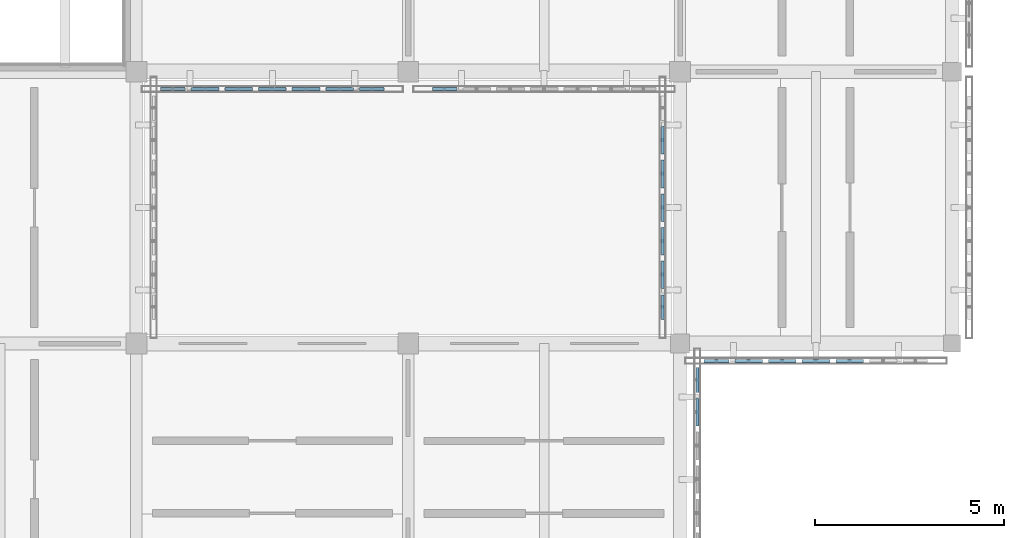
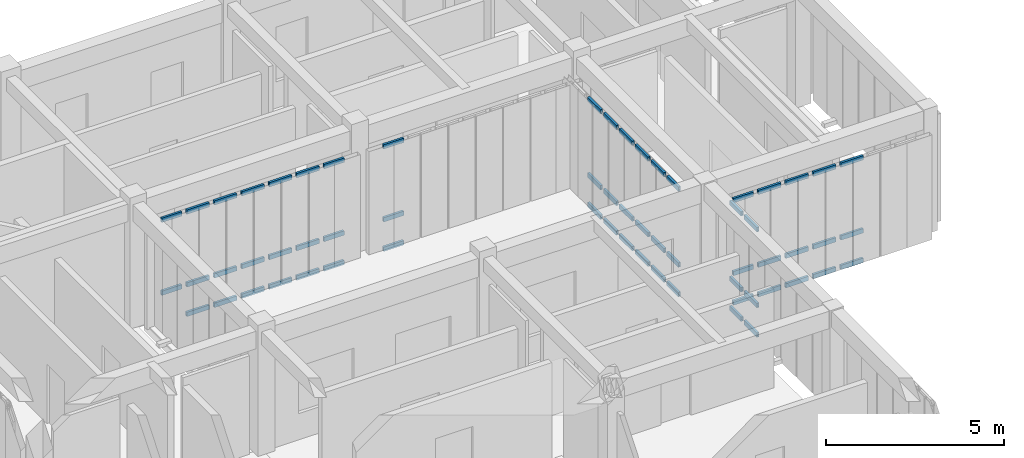
# One storey, part 23 of 91: 62 members, 5 elements without a shape of their own.
"""IFC4 building model written with IfcOpenShell, lengths in metres."""

from ifc_helpers import new_model, si_unit, direction, frame, origin, origin_2d, place, context, subcontext, project, spatial, hollow_rectangle, extrude, material, material_profile, profile_set, type_object, element, aggregate, save


model = new_model("IFC4")

# Units and contexts
model_context = context("Model", 3, precision=1e-05, world=origin(), true_north=direction((0.0, 1.0)))
body_context = subcontext(model_context, "Body", "Model", "MODEL_VIEW")
ifc_project = project(units=[si_unit("LENGTHUNIT", "METRE"), si_unit("AREAUNIT", "SQUARE_METRE"), si_unit("VOLUMEUNIT", "CUBIC_METRE"), si_unit("PLANEANGLEUNIT", "RADIAN"), si_unit("MASSUNIT", "GRAM", prefix="KILO")], contexts=[model_context])

# Site, building, storey
site_placement = place(None, origin())
site = spatial("IfcSite", under=ifc_project, at=site_placement, CompositionType="ELEMENT")
building_placement = place(site_placement, origin())
building = spatial("IfcBuilding", under=site, at=building_placement, Name="Aldebral Square Health Centre", CompositionType="ELEMENT")
storey_placement = place(building_placement, frame((0.0, 0.0, 9.0)))
storey = spatial("IfcBuildingStorey", under=building, at=storey_placement, Name="L02", CompositionType="ELEMENT", Elevation=9.0)

# Curtain wall, members
ifc_material_1 = material(Name="Aluminium and low-E solar glass", Category="aluminium")
curtain_wall_type = type_object("IfcCurtainWallType", Name="CW-FIN-SYS", PredefinedType="USERDEFINED", material=ifc_material_1)
curtain_wall_1_placement = place(storey_placement, origin())
curtain_wall_1 = element("IfcCurtainWall", 1, at=curtain_wall_1_placement, inside=storey, type_object=curtain_wall_type, Name="L02 V4 finned curtain wall L02-V4-01-08-S", ObjectType="SOLAR_CURTAIN_WALL", PredefinedType="USERDEFINED")
ifc_material_2 = material(Name="Anodised aluminium transom", Category="aluminium")
ifc_material_profile = material_profile(ifc_material_2, hollow_rectangle(XDim=0.074951171875, YDim=0.14990234375, WallThickness=0.00390625, at=origin_2d()), Name="CWT 75x150x4")
ifc_profile_set = profile_set([ifc_material_profile], Name="Anodised aluminium transom")
member_type = type_object("IfcMemberType", Name="CWT-STD", PredefinedType="USERDEFINED", material=ifc_profile_set)
member_1_placement = place(storey_placement, frame((7.840087890625, 57.139892578125, 1.050048828125), z_axis=(1.0, 0.0, 0.0), x_axis=(0.0, 1.0, 0.0)))
member_1 = element("IfcMember", 2, at=member_1_placement, type_object=member_type, Name="CW1 transom 1.2", ObjectType="TRANSOM", PredefinedType="USERDEFINED", context=body_context, shape_type="SweptSolid", body=[
    extrude(hollow_rectangle(XDim=0.074951171875, YDim=0.14990234375, WallThickness=0.00390625, at=origin_2d()), origin(), (0.0, 0.0, 1.0), 0.6513671875),
])
member_2_placement = place(storey_placement, frame((7.840087890625, 57.139892578125, 3.552490234375), z_axis=(1.0, 0.0, 0.0), x_axis=(0.0, 1.0, 0.0)))
member_2 = element("IfcMember", 3, at=member_2_placement, type_object=member_type, Name="CW1 transom 1.3", ObjectType="TRANSOM", PredefinedType="USERDEFINED", context=body_context, shape_type="SweptSolid", body=[
    extrude(hollow_rectangle(XDim=0.074951171875, YDim=0.14990234375, WallThickness=0.00390625, at=origin_2d()), origin(), (0.0, 0.0, 1.0), 0.6513671875),
])
member_3_placement = place(storey_placement, frame((8.6513671875, 57.139892578125, 0.03759765625), z_axis=(1.0, 0.0, 0.0), x_axis=(0.0, 1.0, 0.0)))
member_3 = element("IfcMember", 4, at=member_3_placement, type_object=member_type, Name="CW1 transom 2.1", ObjectType="TRANSOM", PredefinedType="USERDEFINED", context=body_context, shape_type="SweptSolid", body=[
    extrude(hollow_rectangle(XDim=0.074951171875, YDim=0.14990234375, WallThickness=0.00390625, at=origin_2d()), origin(), (0.0, 0.0, 1.0), 0.7314453125),
])
member_4_placement = place(storey_placement, frame((8.6513671875, 57.139892578125, 1.050048828125), z_axis=(1.0, 0.0, 0.0), x_axis=(0.0, 1.0, 0.0)))
member_4 = element("IfcMember", 5, at=member_4_placement, type_object=member_type, Name="CW1 transom 2.2", ObjectType="TRANSOM", PredefinedType="USERDEFINED", context=body_context, shape_type="SweptSolid", body=[
    extrude(hollow_rectangle(XDim=0.074951171875, YDim=0.14990234375, WallThickness=0.00390625, at=origin_2d()), origin(), (0.0, 0.0, 1.0), 0.7314453125),
])
member_5_placement = place(storey_placement, frame((8.6513671875, 57.139892578125, 3.552490234375), z_axis=(1.0, 0.0, 0.0), x_axis=(0.0, 1.0, 0.0)))
member_5 = element("IfcMember", 6, at=member_5_placement, type_object=member_type, Name="CW1 transom 2.3", ObjectType="TRANSOM", PredefinedType="USERDEFINED", context=body_context, shape_type="SweptSolid", body=[
    extrude(hollow_rectangle(XDim=0.074951171875, YDim=0.14990234375, WallThickness=0.00390625, at=origin_2d()), origin(), (0.0, 0.0, 1.0), 0.7314453125),
])
member_6_placement = place(storey_placement, frame((9.54296875, 57.139892578125, 0.03759765625), z_axis=(1.0, 0.0, 0.0), x_axis=(0.0, 1.0, 0.0)))
member_6 = element("IfcMember", 7, at=member_6_placement, type_object=member_type, Name="CW1 transom 3.1", ObjectType="TRANSOM", PredefinedType="USERDEFINED", context=body_context, shape_type="SweptSolid", body=[
    extrude(hollow_rectangle(XDim=0.074951171875, YDim=0.14990234375, WallThickness=0.00390625, at=origin_2d()), origin(), (0.0, 0.0, 1.0), 0.731201171875),
])
member_7_placement = place(storey_placement, frame((9.54296875, 57.139892578125, 1.050048828125), z_axis=(1.0, 0.0, 0.0), x_axis=(0.0, 1.0, 0.0)))
member_7 = element("IfcMember", 8, at=member_7_placement, type_object=member_type, Name="CW1 transom 3.2", ObjectType="TRANSOM", PredefinedType="USERDEFINED", context=body_context, shape_type="SweptSolid", body=[
    extrude(hollow_rectangle(XDim=0.074951171875, YDim=0.14990234375, WallThickness=0.00390625, at=origin_2d()), origin(), (0.0, 0.0, 1.0), 0.731201171875),
])
member_8_placement = place(storey_placement, frame((9.54296875, 57.139892578125, 3.552490234375), z_axis=(1.0, 0.0, 0.0), x_axis=(0.0, 1.0, 0.0)))
member_8 = element("IfcMember", 9, at=member_8_placement, type_object=member_type, Name="CW1 transom 3.3", ObjectType="TRANSOM", PredefinedType="USERDEFINED", context=body_context, shape_type="SweptSolid", body=[
    extrude(hollow_rectangle(XDim=0.074951171875, YDim=0.14990234375, WallThickness=0.00390625, at=origin_2d()), origin(), (0.0, 0.0, 1.0), 0.731201171875),
])
member_9_placement = place(storey_placement, frame((10.434326171875, 57.139892578125, 0.03759765625), z_axis=(1.0, 0.0, 0.0), x_axis=(0.0, 1.0, 0.0)))
member_9 = element("IfcMember", 10, at=member_9_placement, type_object=member_type, Name="CW1 transom 4.1", ObjectType="TRANSOM", PredefinedType="USERDEFINED", context=body_context, shape_type="SweptSolid", body=[
    extrude(hollow_rectangle(XDim=0.074951171875, YDim=0.14990234375, WallThickness=0.00390625, at=origin_2d()), origin(), (0.0, 0.0, 1.0), 0.7314453125),
])
member_10_placement = place(storey_placement, frame((10.434326171875, 57.139892578125, 1.050048828125), z_axis=(1.0, 0.0, 0.0), x_axis=(0.0, 1.0, 0.0)))
member_10 = element("IfcMember", 11, at=member_10_placement, type_object=member_type, Name="CW1 transom 4.2", ObjectType="TRANSOM", PredefinedType="USERDEFINED", context=body_context, shape_type="SweptSolid", body=[
    extrude(hollow_rectangle(XDim=0.074951171875, YDim=0.14990234375, WallThickness=0.00390625, at=origin_2d()), origin(), (0.0, 0.0, 1.0), 0.7314453125),
])
member_11_placement = place(storey_placement, frame((10.434326171875, 57.139892578125, 3.552490234375), z_axis=(1.0, 0.0, 0.0), x_axis=(0.0, 1.0, 0.0)))
member_11 = element("IfcMember", 12, at=member_11_placement, type_object=member_type, Name="CW1 transom 4.3", ObjectType="TRANSOM", PredefinedType="USERDEFINED", context=body_context, shape_type="SweptSolid", body=[
    extrude(hollow_rectangle(XDim=0.074951171875, YDim=0.14990234375, WallThickness=0.00390625, at=origin_2d()), origin(), (0.0, 0.0, 1.0), 0.7314453125),
])
member_12_placement = place(storey_placement, frame((11.32568359375, 57.139892578125, 0.03759765625), z_axis=(1.0, 0.0, 0.0), x_axis=(0.0, 1.0, 0.0)))
member_12 = element("IfcMember", 13, at=member_12_placement, type_object=member_type, Name="CW1 transom 5.1", ObjectType="TRANSOM", PredefinedType="USERDEFINED", context=body_context, shape_type="SweptSolid", body=[
    extrude(hollow_rectangle(XDim=0.074951171875, YDim=0.14990234375, WallThickness=0.00390625, at=origin_2d()), origin(), (0.0, 0.0, 1.0), 0.7314453125),
])
member_13_placement = place(storey_placement, frame((11.32568359375, 57.139892578125, 1.050048828125), z_axis=(1.0, 0.0, 0.0), x_axis=(0.0, 1.0, 0.0)))
member_13 = element("IfcMember", 14, at=member_13_placement, type_object=member_type, Name="CW1 transom 5.2", ObjectType="TRANSOM", PredefinedType="USERDEFINED", context=body_context, shape_type="SweptSolid", body=[
    extrude(hollow_rectangle(XDim=0.074951171875, YDim=0.14990234375, WallThickness=0.00390625, at=origin_2d()), origin(), (0.0, 0.0, 1.0), 0.7314453125),
])
member_14_placement = place(storey_placement, frame((11.32568359375, 57.139892578125, 3.552490234375), z_axis=(1.0, 0.0, 0.0), x_axis=(0.0, 1.0, 0.0)))
member_14 = element("IfcMember", 15, at=member_14_placement, type_object=member_type, Name="CW1 transom 5.3", ObjectType="TRANSOM", PredefinedType="USERDEFINED", context=body_context, shape_type="SweptSolid", body=[
    extrude(hollow_rectangle(XDim=0.074951171875, YDim=0.14990234375, WallThickness=0.00390625, at=origin_2d()), origin(), (0.0, 0.0, 1.0), 0.7314453125),
])
member_15_placement = place(storey_placement, frame((12.217041015625, 57.139892578125, 0.03759765625), z_axis=(1.0, 0.0, 0.0), x_axis=(0.0, 1.0, 0.0)))
member_15 = element("IfcMember", 16, at=member_15_placement, type_object=member_type, Name="CW1 transom 6.1", ObjectType="TRANSOM", PredefinedType="USERDEFINED", context=body_context, shape_type="SweptSolid", body=[
    extrude(hollow_rectangle(XDim=0.074951171875, YDim=0.14990234375, WallThickness=0.00390625, at=origin_2d()), origin(), (0.0, 0.0, 1.0), 0.7314453125),
])
member_16_placement = place(storey_placement, frame((12.217041015625, 57.139892578125, 1.050048828125), z_axis=(1.0, 0.0, 0.0), x_axis=(0.0, 1.0, 0.0)))
member_16 = element("IfcMember", 17, at=member_16_placement, type_object=member_type, Name="CW1 transom 6.2", ObjectType="TRANSOM", PredefinedType="USERDEFINED", context=body_context, shape_type="SweptSolid", body=[
    extrude(hollow_rectangle(XDim=0.074951171875, YDim=0.14990234375, WallThickness=0.00390625, at=origin_2d()), origin(), (0.0, 0.0, 1.0), 0.7314453125),
])
member_17_placement = place(storey_placement, frame((12.217041015625, 57.139892578125, 3.552490234375), z_axis=(1.0, 0.0, 0.0), x_axis=(0.0, 1.0, 0.0)))
member_17 = element("IfcMember", 18, at=member_17_placement, type_object=member_type, Name="CW1 transom 6.3", ObjectType="TRANSOM", PredefinedType="USERDEFINED", context=body_context, shape_type="SweptSolid", body=[
    extrude(hollow_rectangle(XDim=0.074951171875, YDim=0.14990234375, WallThickness=0.00390625, at=origin_2d()), origin(), (0.0, 0.0, 1.0), 0.7314453125),
])
member_18_placement = place(storey_placement, frame((13.108642578125, 57.139892578125, 0.03759765625), z_axis=(1.0, 0.0, 0.0), x_axis=(0.0, 1.0, 0.0)))
member_18 = element("IfcMember", 19, at=member_18_placement, type_object=member_type, Name="CW1 transom 7.1", ObjectType="TRANSOM", PredefinedType="USERDEFINED", context=body_context, shape_type="SweptSolid", body=[
    extrude(hollow_rectangle(XDim=0.074951171875, YDim=0.14990234375, WallThickness=0.00390625, at=origin_2d()), origin(), (0.0, 0.0, 1.0), 0.6513671875),
])
member_19_placement = place(storey_placement, frame((13.108642578125, 57.139892578125, 1.050048828125), z_axis=(1.0, 0.0, 0.0), x_axis=(0.0, 1.0, 0.0)))
member_19 = element("IfcMember", 20, at=member_19_placement, type_object=member_type, Name="CW1 transom 7.2", ObjectType="TRANSOM", PredefinedType="USERDEFINED", context=body_context, shape_type="SweptSolid", body=[
    extrude(hollow_rectangle(XDim=0.074951171875, YDim=0.14990234375, WallThickness=0.00390625, at=origin_2d()), origin(), (0.0, 0.0, 1.0), 0.6513671875),
])
member_20_placement = place(storey_placement, frame((13.108642578125, 57.139892578125, 3.552490234375), z_axis=(1.0, 0.0, 0.0), x_axis=(0.0, 1.0, 0.0)))
member_20 = element("IfcMember", 21, at=member_20_placement, type_object=member_type, Name="CW1 transom 7.3", ObjectType="TRANSOM", PredefinedType="USERDEFINED", context=body_context, shape_type="SweptSolid", body=[
    extrude(hollow_rectangle(XDim=0.074951171875, YDim=0.14990234375, WallThickness=0.00390625, at=origin_2d()), origin(), (0.0, 0.0, 1.0), 0.6513671875),
])
aggregate(curtain_wall_1, [member_1, member_2, member_3, member_4, member_5, member_6, member_7, member_8, member_9, member_10, member_11, member_12, member_13, member_14, member_15, member_16, member_17, member_18, member_19, member_20])

curtain_wall_2_placement = place(storey_placement, origin())
curtain_wall_2 = element("IfcCurtainWall", 22, at=curtain_wall_2_placement, inside=storey, type_object=curtain_wall_type, Name="L02 V6 finned curtain wall L02-V6-02-06-E", ObjectType="SOLAR_CURTAIN_WALL", PredefinedType="USERDEFINED")
member_21_placement = place(storey_placement, frame((22.06005859375, 48.217041015625, 0.03759765625), z_axis=(0.0, 1.0, 0.0), x_axis=(-1.0, 0.0, 0.0)))
member_21 = element("IfcMember", 23, at=member_21_placement, type_object=member_type, Name="CW1 transom 6.1", ObjectType="TRANSOM", PredefinedType="USERDEFINED", context=body_context, shape_type="SweptSolid", body=[
    extrude(hollow_rectangle(XDim=0.074951171875, YDim=0.14990234375, WallThickness=0.00390625, at=origin_2d()), origin(), (0.0, 0.0, 1.0), 0.7314453125),
])
member_22_placement = place(storey_placement, frame((22.06005859375, 48.217041015625, 1.050048828125), z_axis=(0.0, 1.0, 0.0), x_axis=(-1.0, 0.0, 0.0)))
member_22 = element("IfcMember", 24, at=member_22_placement, type_object=member_type, Name="CW1 transom 6.2", ObjectType="TRANSOM", PredefinedType="USERDEFINED", context=body_context, shape_type="SweptSolid", body=[
    extrude(hollow_rectangle(XDim=0.074951171875, YDim=0.14990234375, WallThickness=0.00390625, at=origin_2d()), origin(), (0.0, 0.0, 1.0), 0.7314453125),
])
member_23_placement = place(storey_placement, frame((22.06005859375, 48.217041015625, 3.652587890625), z_axis=(0.0, 1.0, 0.0), x_axis=(-1.0, 0.0, 0.0)))
member_23 = element("IfcMember", 25, at=member_23_placement, type_object=member_type, Name="CW1 transom 6.3", ObjectType="TRANSOM", PredefinedType="USERDEFINED", context=body_context, shape_type="SweptSolid", body=[
    extrude(hollow_rectangle(XDim=0.074951171875, YDim=0.14990234375, WallThickness=0.00390625, at=origin_2d()), origin(), (0.0, 0.0, 1.0), 0.7314453125),
])
member_24_placement = place(storey_placement, frame((22.06005859375, 49.108642578125, 0.03759765625), z_axis=(0.0, 1.0, 0.0), x_axis=(-1.0, 0.0, 0.0)))
member_24 = element("IfcMember", 26, at=member_24_placement, type_object=member_type, Name="CW1 transom 7.1", ObjectType="TRANSOM", PredefinedType="USERDEFINED", context=body_context, shape_type="SweptSolid", body=[
    extrude(hollow_rectangle(XDim=0.074951171875, YDim=0.14990234375, WallThickness=0.00390625, at=origin_2d()), origin(), (0.0, 0.0, 1.0), 0.6513671875),
])
member_25_placement = place(storey_placement, frame((22.06005859375, 49.108642578125, 1.050048828125), z_axis=(0.0, 1.0, 0.0), x_axis=(-1.0, 0.0, 0.0)))
member_25 = element("IfcMember", 27, at=member_25_placement, type_object=member_type, Name="CW1 transom 7.2", ObjectType="TRANSOM", PredefinedType="USERDEFINED", context=body_context, shape_type="SweptSolid", body=[
    extrude(hollow_rectangle(XDim=0.074951171875, YDim=0.14990234375, WallThickness=0.00390625, at=origin_2d()), origin(), (0.0, 0.0, 1.0), 0.6513671875),
])
member_26_placement = place(storey_placement, frame((22.06005859375, 49.108642578125, 3.652587890625), z_axis=(0.0, 1.0, 0.0), x_axis=(-1.0, 0.0, 0.0)))
member_26 = element("IfcMember", 28, at=member_26_placement, type_object=member_type, Name="CW1 transom 7.3", ObjectType="TRANSOM", PredefinedType="USERDEFINED", context=body_context, shape_type="SweptSolid", body=[
    extrude(hollow_rectangle(XDim=0.074951171875, YDim=0.14990234375, WallThickness=0.00390625, at=origin_2d()), origin(), (0.0, 0.0, 1.0), 0.6513671875),
])
aggregate(curtain_wall_2, [member_21, member_22, member_23, member_24, member_25, member_26])

curtain_wall_3_placement = place(storey_placement, origin())
curtain_wall_3 = element("IfcCurtainWall", 29, at=curtain_wall_3_placement, inside=storey, type_object=curtain_wall_type, Name="L02 V4 finned curtain wall L02-V4-02-08-S", ObjectType="SOLAR_CURTAIN_WALL", PredefinedType="USERDEFINED")
member_27_placement = place(storey_placement, frame((15.0400390625, 57.139892578125, 0.03759765625), z_axis=(1.0, 0.0, 0.0), x_axis=(0.0, 1.0, 0.0)))
member_27 = element("IfcMember", 30, at=member_27_placement, type_object=member_type, Name="CW1 transom 1.1", ObjectType="TRANSOM", PredefinedType="USERDEFINED", context=body_context, shape_type="SweptSolid", body=[
    extrude(hollow_rectangle(XDim=0.074951171875, YDim=0.14990234375, WallThickness=0.00390625, at=origin_2d()), origin(), (0.0, 0.0, 1.0), 0.6513671875),
])
member_28_placement = place(storey_placement, frame((15.0400390625, 57.139892578125, 1.050048828125), z_axis=(1.0, 0.0, 0.0), x_axis=(0.0, 1.0, 0.0)))
member_28 = element("IfcMember", 31, at=member_28_placement, type_object=member_type, Name="CW1 transom 1.2", ObjectType="TRANSOM", PredefinedType="USERDEFINED", context=body_context, shape_type="SweptSolid", body=[
    extrude(hollow_rectangle(XDim=0.074951171875, YDim=0.14990234375, WallThickness=0.00390625, at=origin_2d()), origin(), (0.0, 0.0, 1.0), 0.6513671875),
])
member_29_placement = place(storey_placement, frame((15.0400390625, 57.139892578125, 3.552490234375), z_axis=(1.0, 0.0, 0.0), x_axis=(0.0, 1.0, 0.0)))
member_29 = element("IfcMember", 32, at=member_29_placement, type_object=member_type, Name="CW1 transom 1.3", ObjectType="TRANSOM", PredefinedType="USERDEFINED", context=body_context, shape_type="SweptSolid", body=[
    extrude(hollow_rectangle(XDim=0.074951171875, YDim=0.14990234375, WallThickness=0.00390625, at=origin_2d()), origin(), (0.0, 0.0, 1.0), 0.6513671875),
])
aggregate(curtain_wall_3, [member_27, member_28, member_29])

curtain_wall_4_placement = place(storey_placement, origin())
curtain_wall_4 = element("IfcCurtainWall", 33, at=curtain_wall_4_placement, inside=storey, type_object=curtain_wall_type, Name="L02 V4 finned curtain wall L02-V4-03-07-S", ObjectType="SOLAR_CURTAIN_WALL", PredefinedType="USERDEFINED")
member_30_placement = place(storey_placement, frame((22.239990234375, 49.93994140625, 0.03759765625), z_axis=(1.0, 0.0, 0.0), x_axis=(0.0, 1.0, 0.0)))
member_30 = element("IfcMember", 34, at=member_30_placement, type_object=member_type, Name="CW1 transom 1.1", ObjectType="TRANSOM", PredefinedType="USERDEFINED", context=body_context, shape_type="SweptSolid", body=[
    extrude(hollow_rectangle(XDim=0.074951171875, YDim=0.14990234375, WallThickness=0.00390625, at=origin_2d()), origin(), (0.0, 0.0, 1.0), 0.6513671875),
])
member_31_placement = place(storey_placement, frame((22.239990234375, 49.93994140625, 1.050048828125), z_axis=(1.0, 0.0, 0.0), x_axis=(0.0, 1.0, 0.0)))
member_31 = element("IfcMember", 35, at=member_31_placement, type_object=member_type, Name="CW1 transom 1.2", ObjectType="TRANSOM", PredefinedType="USERDEFINED", context=body_context, shape_type="SweptSolid", body=[
    extrude(hollow_rectangle(XDim=0.074951171875, YDim=0.14990234375, WallThickness=0.00390625, at=origin_2d()), origin(), (0.0, 0.0, 1.0), 0.6513671875),
])
member_32_placement = place(storey_placement, frame((22.239990234375, 49.93994140625, 3.552490234375), z_axis=(1.0, 0.0, 0.0), x_axis=(0.0, 1.0, 0.0)))
member_32 = element("IfcMember", 36, at=member_32_placement, type_object=member_type, Name="CW1 transom 1.3", ObjectType="TRANSOM", PredefinedType="USERDEFINED", context=body_context, shape_type="SweptSolid", body=[
    extrude(hollow_rectangle(XDim=0.074951171875, YDim=0.14990234375, WallThickness=0.00390625, at=origin_2d()), origin(), (0.0, 0.0, 1.0), 0.6513671875),
])
member_33_placement = place(storey_placement, frame((23.051513671875, 49.93994140625, 0.03759765625), z_axis=(1.0, 0.0, 0.0), x_axis=(0.0, 1.0, 0.0)))
member_33 = element("IfcMember", 37, at=member_33_placement, type_object=member_type, Name="CW1 transom 2.1", ObjectType="TRANSOM", PredefinedType="USERDEFINED", context=body_context, shape_type="SweptSolid", body=[
    extrude(hollow_rectangle(XDim=0.074951171875, YDim=0.14990234375, WallThickness=0.00390625, at=origin_2d()), origin(), (0.0, 0.0, 1.0), 0.7314453125),
])
member_34_placement = place(storey_placement, frame((23.051513671875, 49.93994140625, 1.050048828125), z_axis=(1.0, 0.0, 0.0), x_axis=(0.0, 1.0, 0.0)))
member_34 = element("IfcMember", 38, at=member_34_placement, type_object=member_type, Name="CW1 transom 2.2", ObjectType="TRANSOM", PredefinedType="USERDEFINED", context=body_context, shape_type="SweptSolid", body=[
    extrude(hollow_rectangle(XDim=0.074951171875, YDim=0.14990234375, WallThickness=0.00390625, at=origin_2d()), origin(), (0.0, 0.0, 1.0), 0.7314453125),
])
member_35_placement = place(storey_placement, frame((23.051513671875, 49.93994140625, 3.552490234375), z_axis=(1.0, 0.0, 0.0), x_axis=(0.0, 1.0, 0.0)))
member_35 = element("IfcMember", 39, at=member_35_placement, type_object=member_type, Name="CW1 transom 2.3", ObjectType="TRANSOM", PredefinedType="USERDEFINED", context=body_context, shape_type="SweptSolid", body=[
    extrude(hollow_rectangle(XDim=0.074951171875, YDim=0.14990234375, WallThickness=0.00390625, at=origin_2d()), origin(), (0.0, 0.0, 1.0), 0.7314453125),
])
member_36_placement = place(storey_placement, frame((23.94287109375, 49.93994140625, 0.03759765625), z_axis=(1.0, 0.0, 0.0), x_axis=(0.0, 1.0, 0.0)))
member_36 = element("IfcMember", 40, at=member_36_placement, type_object=member_type, Name="CW1 transom 3.1", ObjectType="TRANSOM", PredefinedType="USERDEFINED", context=body_context, shape_type="SweptSolid", body=[
    extrude(hollow_rectangle(XDim=0.074951171875, YDim=0.14990234375, WallThickness=0.00390625, at=origin_2d()), origin(), (0.0, 0.0, 1.0), 0.7314453125),
])
member_37_placement = place(storey_placement, frame((23.94287109375, 49.93994140625, 1.050048828125), z_axis=(1.0, 0.0, 0.0), x_axis=(0.0, 1.0, 0.0)))
member_37 = element("IfcMember", 41, at=member_37_placement, type_object=member_type, Name="CW1 transom 3.2", ObjectType="TRANSOM", PredefinedType="USERDEFINED", context=body_context, shape_type="SweptSolid", body=[
    extrude(hollow_rectangle(XDim=0.074951171875, YDim=0.14990234375, WallThickness=0.00390625, at=origin_2d()), origin(), (0.0, 0.0, 1.0), 0.7314453125),
])
member_38_placement = place(storey_placement, frame((23.94287109375, 49.93994140625, 3.552490234375), z_axis=(1.0, 0.0, 0.0), x_axis=(0.0, 1.0, 0.0)))
member_38 = element("IfcMember", 42, at=member_38_placement, type_object=member_type, Name="CW1 transom 3.3", ObjectType="TRANSOM", PredefinedType="USERDEFINED", context=body_context, shape_type="SweptSolid", body=[
    extrude(hollow_rectangle(XDim=0.074951171875, YDim=0.14990234375, WallThickness=0.00390625, at=origin_2d()), origin(), (0.0, 0.0, 1.0), 0.7314453125),
])
member_39_placement = place(storey_placement, frame((24.834228515625, 49.93994140625, 0.03759765625), z_axis=(1.0, 0.0, 0.0), x_axis=(0.0, 1.0, 0.0)))
member_39 = element("IfcMember", 43, at=member_39_placement, type_object=member_type, Name="CW1 transom 4.1", ObjectType="TRANSOM", PredefinedType="USERDEFINED", context=body_context, shape_type="SweptSolid", body=[
    extrude(hollow_rectangle(XDim=0.074951171875, YDim=0.14990234375, WallThickness=0.00390625, at=origin_2d()), origin(), (0.0, 0.0, 1.0), 0.7314453125),
])
member_40_placement = place(storey_placement, frame((24.834228515625, 49.93994140625, 1.050048828125), z_axis=(1.0, 0.0, 0.0), x_axis=(0.0, 1.0, 0.0)))
member_40 = element("IfcMember", 44, at=member_40_placement, type_object=member_type, Name="CW1 transom 4.2", ObjectType="TRANSOM", PredefinedType="USERDEFINED", context=body_context, shape_type="SweptSolid", body=[
    extrude(hollow_rectangle(XDim=0.074951171875, YDim=0.14990234375, WallThickness=0.00390625, at=origin_2d()), origin(), (0.0, 0.0, 1.0), 0.7314453125),
])
member_41_placement = place(storey_placement, frame((24.834228515625, 49.93994140625, 3.552490234375), z_axis=(1.0, 0.0, 0.0), x_axis=(0.0, 1.0, 0.0)))
member_41 = element("IfcMember", 45, at=member_41_placement, type_object=member_type, Name="CW1 transom 4.3", ObjectType="TRANSOM", PredefinedType="USERDEFINED", context=body_context, shape_type="SweptSolid", body=[
    extrude(hollow_rectangle(XDim=0.074951171875, YDim=0.14990234375, WallThickness=0.00390625, at=origin_2d()), origin(), (0.0, 0.0, 1.0), 0.7314453125),
])
member_42_placement = place(storey_placement, frame((25.725830078125, 49.93994140625, 0.03759765625), z_axis=(1.0, 0.0, 0.0), x_axis=(0.0, 1.0, 0.0)))
member_42 = element("IfcMember", 46, at=member_42_placement, type_object=member_type, Name="CW1 transom 5.1", ObjectType="TRANSOM", PredefinedType="USERDEFINED", context=body_context, shape_type="SweptSolid", body=[
    extrude(hollow_rectangle(XDim=0.074951171875, YDim=0.14990234375, WallThickness=0.00390625, at=origin_2d()), origin(), (0.0, 0.0, 1.0), 0.731201171875),
])
member_43_placement = place(storey_placement, frame((25.725830078125, 49.93994140625, 1.050048828125), z_axis=(1.0, 0.0, 0.0), x_axis=(0.0, 1.0, 0.0)))
member_43 = element("IfcMember", 47, at=member_43_placement, type_object=member_type, Name="CW1 transom 5.2", ObjectType="TRANSOM", PredefinedType="USERDEFINED", context=body_context, shape_type="SweptSolid", body=[
    extrude(hollow_rectangle(XDim=0.074951171875, YDim=0.14990234375, WallThickness=0.00390625, at=origin_2d()), origin(), (0.0, 0.0, 1.0), 0.731201171875),
])
member_44_placement = place(storey_placement, frame((25.725830078125, 49.93994140625, 3.552490234375), z_axis=(1.0, 0.0, 0.0), x_axis=(0.0, 1.0, 0.0)))
member_44 = element("IfcMember", 48, at=member_44_placement, type_object=member_type, Name="CW1 transom 5.3", ObjectType="TRANSOM", PredefinedType="USERDEFINED", context=body_context, shape_type="SweptSolid", body=[
    extrude(hollow_rectangle(XDim=0.074951171875, YDim=0.14990234375, WallThickness=0.00390625, at=origin_2d()), origin(), (0.0, 0.0, 1.0), 0.731201171875),
])
aggregate(curtain_wall_4, [member_30, member_31, member_32, member_33, member_34, member_35, member_36, member_37, member_38, member_39, member_40, member_41, member_42, member_43, member_44])

curtain_wall_5_placement = place(storey_placement, origin())
curtain_wall_5 = element("IfcCurtainWall", 49, at=curtain_wall_5_placement, inside=storey, type_object=curtain_wall_type, Name="L02 V4 finned curtain wall L02-V4-03-07-W", ObjectType="SOLAR_CURTAIN_WALL", PredefinedType="USERDEFINED")
member_45_placement = place(storey_placement, frame((21.139892578125, 56.148681640625, 0.03759765625), z_axis=(0.0, -1.0, 0.0), x_axis=(1.0, 0.0, 0.0)))
member_45 = element("IfcMember", 50, at=member_45_placement, type_object=member_type, Name="CW1 transom 2.1", ObjectType="TRANSOM", PredefinedType="USERDEFINED", context=body_context, shape_type="SweptSolid", body=[
    extrude(hollow_rectangle(XDim=0.074951171875, YDim=0.14990234375, WallThickness=0.00390625, at=origin_2d()), origin(), (0.0, 0.0, 1.0), 0.7314453125),
])
member_46_placement = place(storey_placement, frame((21.139892578125, 56.148681640625, 1.050048828125), z_axis=(0.0, -1.0, 0.0), x_axis=(1.0, 0.0, 0.0)))
member_46 = element("IfcMember", 51, at=member_46_placement, type_object=member_type, Name="CW1 transom 2.2", ObjectType="TRANSOM", PredefinedType="USERDEFINED", context=body_context, shape_type="SweptSolid", body=[
    extrude(hollow_rectangle(XDim=0.074951171875, YDim=0.14990234375, WallThickness=0.00390625, at=origin_2d()), origin(), (0.0, 0.0, 1.0), 0.7314453125),
])
member_47_placement = place(storey_placement, frame((21.139892578125, 56.148681640625, 3.652587890625), z_axis=(0.0, -1.0, 0.0), x_axis=(1.0, 0.0, 0.0)))
member_47 = element("IfcMember", 52, at=member_47_placement, type_object=member_type, Name="CW1 transom 2.3", ObjectType="TRANSOM", PredefinedType="USERDEFINED", context=body_context, shape_type="SweptSolid", body=[
    extrude(hollow_rectangle(XDim=0.074951171875, YDim=0.14990234375, WallThickness=0.00390625, at=origin_2d()), origin(), (0.0, 0.0, 1.0), 0.7314453125),
])
member_48_placement = place(storey_placement, frame((21.139892578125, 55.257080078125, 0.03759765625), z_axis=(0.0, -1.0, 0.0), x_axis=(1.0, 0.0, 0.0)))
member_48 = element("IfcMember", 53, at=member_48_placement, type_object=member_type, Name="CW1 transom 3.1", ObjectType="TRANSOM", PredefinedType="USERDEFINED", context=body_context, shape_type="SweptSolid", body=[
    extrude(hollow_rectangle(XDim=0.074951171875, YDim=0.14990234375, WallThickness=0.00390625, at=origin_2d()), origin(), (0.0, 0.0, 1.0), 0.7314453125),
])
member_49_placement = place(storey_placement, frame((21.139892578125, 55.257080078125, 1.050048828125), z_axis=(0.0, -1.0, 0.0), x_axis=(1.0, 0.0, 0.0)))
member_49 = element("IfcMember", 54, at=member_49_placement, type_object=member_type, Name="CW1 transom 3.2", ObjectType="TRANSOM", PredefinedType="USERDEFINED", context=body_context, shape_type="SweptSolid", body=[
    extrude(hollow_rectangle(XDim=0.074951171875, YDim=0.14990234375, WallThickness=0.00390625, at=origin_2d()), origin(), (0.0, 0.0, 1.0), 0.7314453125),
])
member_50_placement = place(storey_placement, frame((21.139892578125, 55.257080078125, 3.652587890625), z_axis=(0.0, -1.0, 0.0), x_axis=(1.0, 0.0, 0.0)))
member_50 = element("IfcMember", 55, at=member_50_placement, type_object=member_type, Name="CW1 transom 3.3", ObjectType="TRANSOM", PredefinedType="USERDEFINED", context=body_context, shape_type="SweptSolid", body=[
    extrude(hollow_rectangle(XDim=0.074951171875, YDim=0.14990234375, WallThickness=0.00390625, at=origin_2d()), origin(), (0.0, 0.0, 1.0), 0.7314453125),
])
member_51_placement = place(storey_placement, frame((21.139892578125, 54.36572265625, 0.03759765625), z_axis=(0.0, -1.0, 0.0), x_axis=(1.0, 0.0, 0.0)))
member_51 = element("IfcMember", 56, at=member_51_placement, type_object=member_type, Name="CW1 transom 4.1", ObjectType="TRANSOM", PredefinedType="USERDEFINED", context=body_context, shape_type="SweptSolid", body=[
    extrude(hollow_rectangle(XDim=0.074951171875, YDim=0.14990234375, WallThickness=0.00390625, at=origin_2d()), origin(), (0.0, 0.0, 1.0), 0.7314453125),
])
member_52_placement = place(storey_placement, frame((21.139892578125, 54.36572265625, 1.050048828125), z_axis=(0.0, -1.0, 0.0), x_axis=(1.0, 0.0, 0.0)))
member_52 = element("IfcMember", 57, at=member_52_placement, type_object=member_type, Name="CW1 transom 4.2", ObjectType="TRANSOM", PredefinedType="USERDEFINED", context=body_context, shape_type="SweptSolid", body=[
    extrude(hollow_rectangle(XDim=0.074951171875, YDim=0.14990234375, WallThickness=0.00390625, at=origin_2d()), origin(), (0.0, 0.0, 1.0), 0.7314453125),
])
member_53_placement = place(storey_placement, frame((21.139892578125, 54.36572265625, 3.652587890625), z_axis=(0.0, -1.0, 0.0), x_axis=(1.0, 0.0, 0.0)))
member_53 = element("IfcMember", 58, at=member_53_placement, type_object=member_type, Name="CW1 transom 4.3", ObjectType="TRANSOM", PredefinedType="USERDEFINED", context=body_context, shape_type="SweptSolid", body=[
    extrude(hollow_rectangle(XDim=0.074951171875, YDim=0.14990234375, WallThickness=0.00390625, at=origin_2d()), origin(), (0.0, 0.0, 1.0), 0.7314453125),
])
member_54_placement = place(storey_placement, frame((21.139892578125, 53.474365234375, 0.03759765625), z_axis=(0.0, -1.0, 0.0), x_axis=(1.0, 0.0, 0.0)))
member_54 = element("IfcMember", 59, at=member_54_placement, type_object=member_type, Name="CW1 transom 5.1", ObjectType="TRANSOM", PredefinedType="USERDEFINED", context=body_context, shape_type="SweptSolid", body=[
    extrude(hollow_rectangle(XDim=0.074951171875, YDim=0.14990234375, WallThickness=0.00390625, at=origin_2d()), origin(), (0.0, 0.0, 1.0), 0.7314453125),
])
member_55_placement = place(storey_placement, frame((21.139892578125, 53.474365234375, 1.050048828125), z_axis=(0.0, -1.0, 0.0), x_axis=(1.0, 0.0, 0.0)))
member_55 = element("IfcMember", 60, at=member_55_placement, type_object=member_type, Name="CW1 transom 5.2", ObjectType="TRANSOM", PredefinedType="USERDEFINED", context=body_context, shape_type="SweptSolid", body=[
    extrude(hollow_rectangle(XDim=0.074951171875, YDim=0.14990234375, WallThickness=0.00390625, at=origin_2d()), origin(), (0.0, 0.0, 1.0), 0.7314453125),
])
member_56_placement = place(storey_placement, frame((21.139892578125, 53.474365234375, 3.652587890625), z_axis=(0.0, -1.0, 0.0), x_axis=(1.0, 0.0, 0.0)))
member_56 = element("IfcMember", 61, at=member_56_placement, type_object=member_type, Name="CW1 transom 5.3", ObjectType="TRANSOM", PredefinedType="USERDEFINED", context=body_context, shape_type="SweptSolid", body=[
    extrude(hollow_rectangle(XDim=0.074951171875, YDim=0.14990234375, WallThickness=0.00390625, at=origin_2d()), origin(), (0.0, 0.0, 1.0), 0.7314453125),
])
member_57_placement = place(storey_placement, frame((21.139892578125, 52.582763671875, 0.03759765625), z_axis=(0.0, -1.0, 0.0), x_axis=(1.0, 0.0, 0.0)))
member_57 = element("IfcMember", 62, at=member_57_placement, type_object=member_type, Name="CW1 transom 6.1", ObjectType="TRANSOM", PredefinedType="USERDEFINED", context=body_context, shape_type="SweptSolid", body=[
    extrude(hollow_rectangle(XDim=0.074951171875, YDim=0.14990234375, WallThickness=0.00390625, at=origin_2d()), origin(), (0.0, 0.0, 1.0), 0.7314453125),
])
member_58_placement = place(storey_placement, frame((21.139892578125, 52.582763671875, 1.050048828125), z_axis=(0.0, -1.0, 0.0), x_axis=(1.0, 0.0, 0.0)))
member_58 = element("IfcMember", 63, at=member_58_placement, type_object=member_type, Name="CW1 transom 6.2", ObjectType="TRANSOM", PredefinedType="USERDEFINED", context=body_context, shape_type="SweptSolid", body=[
    extrude(hollow_rectangle(XDim=0.074951171875, YDim=0.14990234375, WallThickness=0.00390625, at=origin_2d()), origin(), (0.0, 0.0, 1.0), 0.7314453125),
])
member_59_placement = place(storey_placement, frame((21.139892578125, 52.582763671875, 3.652587890625), z_axis=(0.0, -1.0, 0.0), x_axis=(1.0, 0.0, 0.0)))
member_59 = element("IfcMember", 64, at=member_59_placement, type_object=member_type, Name="CW1 transom 6.3", ObjectType="TRANSOM", PredefinedType="USERDEFINED", context=body_context, shape_type="SweptSolid", body=[
    extrude(hollow_rectangle(XDim=0.074951171875, YDim=0.14990234375, WallThickness=0.00390625, at=origin_2d()), origin(), (0.0, 0.0, 1.0), 0.7314453125),
])
member_60_placement = place(storey_placement, frame((21.139892578125, 51.69140625, 0.03759765625), z_axis=(0.0, -1.0, 0.0), x_axis=(1.0, 0.0, 0.0)))
member_60 = element("IfcMember", 65, at=member_60_placement, type_object=member_type, Name="CW1 transom 7.1", ObjectType="TRANSOM", PredefinedType="USERDEFINED", context=body_context, shape_type="SweptSolid", body=[
    extrude(hollow_rectangle(XDim=0.074951171875, YDim=0.14990234375, WallThickness=0.00390625, at=origin_2d()), origin(), (0.0, 0.0, 1.0), 0.6513671875),
])
member_61_placement = place(storey_placement, frame((21.139892578125, 51.69140625, 1.050048828125), z_axis=(0.0, -1.0, 0.0), x_axis=(1.0, 0.0, 0.0)))
member_61 = element("IfcMember", 66, at=member_61_placement, type_object=member_type, Name="CW1 transom 7.2", ObjectType="TRANSOM", PredefinedType="USERDEFINED", context=body_context, shape_type="SweptSolid", body=[
    extrude(hollow_rectangle(XDim=0.074951171875, YDim=0.14990234375, WallThickness=0.00390625, at=origin_2d()), origin(), (0.0, 0.0, 1.0), 0.6513671875),
])
member_62_placement = place(storey_placement, frame((21.139892578125, 51.69140625, 3.652587890625), z_axis=(0.0, -1.0, 0.0), x_axis=(1.0, 0.0, 0.0)))
member_62 = element("IfcMember", 67, at=member_62_placement, type_object=member_type, Name="CW1 transom 7.3", ObjectType="TRANSOM", PredefinedType="USERDEFINED", context=body_context, shape_type="SweptSolid", body=[
    extrude(hollow_rectangle(XDim=0.074951171875, YDim=0.14990234375, WallThickness=0.00390625, at=origin_2d()), origin(), (0.0, 0.0, 1.0), 0.6513671875),
])
aggregate(curtain_wall_5, [member_45, member_46, member_47, member_48, member_49, member_50, member_51, member_52, member_53, member_54, member_55, member_56, member_57, member_58, member_59, member_60, member_61, member_62])

save(model, "model.ifc")
